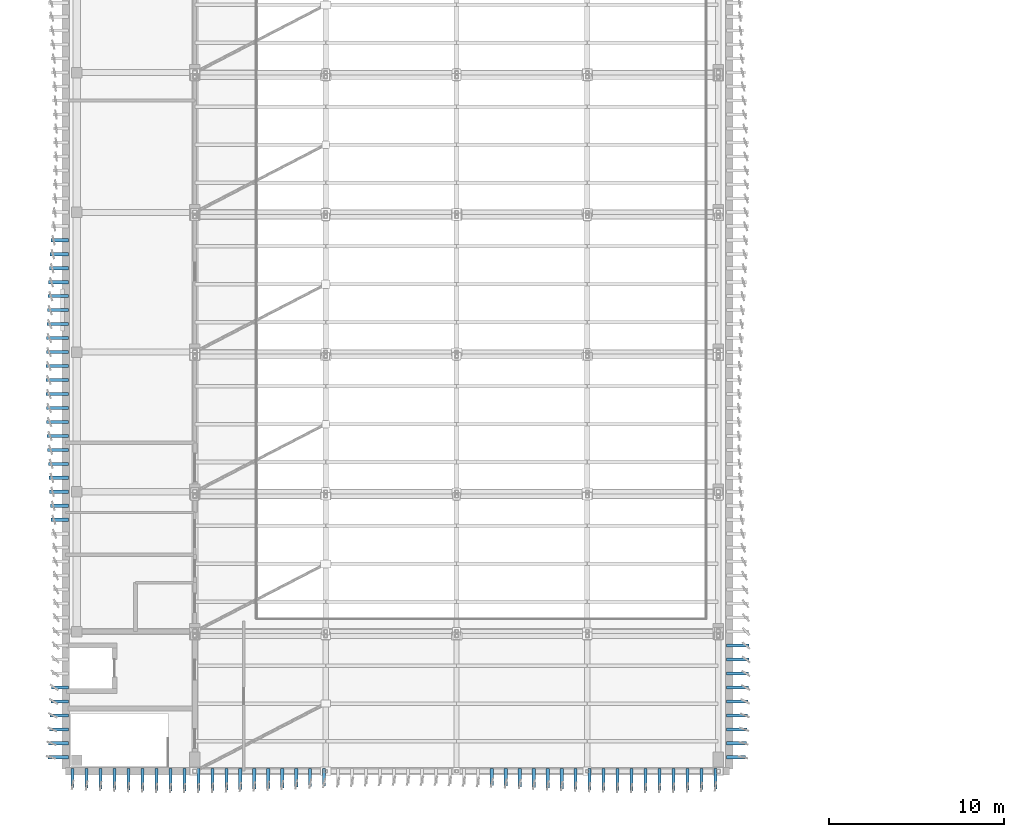
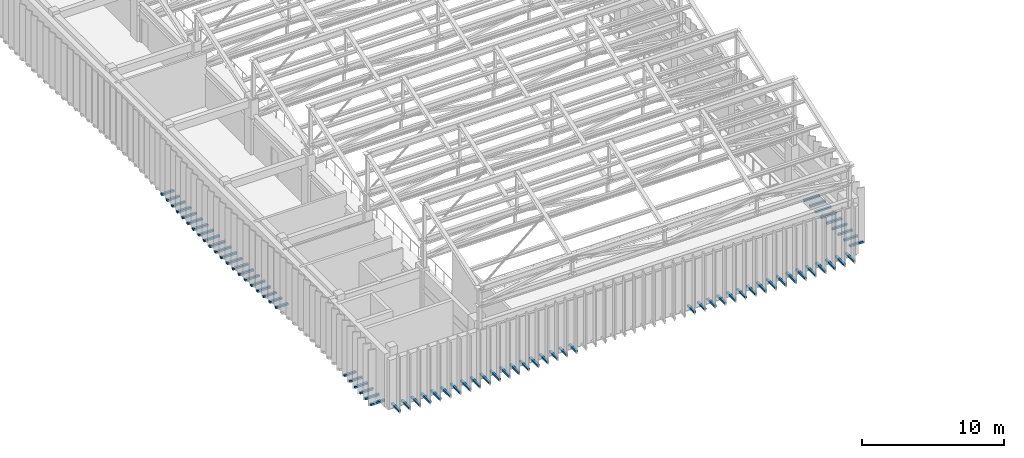
# One storey, part 60 of 76: 72 discrete accessories.
"""IFC4 building model written with IfcOpenShell, lengths in metres."""

import ifcopenshell
import ifcopenshell.guid

model = None  # the IFC model being written
_history = None  # IfcOwnerHistory: only IFC2X3 demands one
_inside = {}  # id of a spatial element -> (the spatial element, [elements in it])
_under = {}  # id of a project, library or spatial element -> (it, [spatial elements below it])
_declared = {}  # id of a project -> (the project, [libraries it declares])
_typed = {}  # id of a type object -> (the type object, [elements of that type])
_made_of = {}  # id of a material, layer set ... -> (it, [elements and type objects made of it])


def new_model(schema):
    """Start an empty IFC model of exactly this schema.

    Asked for "IFC4X3", IfcOpenShell would pick the latest addendum, in which some entities
    have other attributes; the version numbers below select the first issue.
    IFC2X3 requires an IfcOwnerHistory on every rooted entity: one is made here for all.
    """
    global model, _history
    if schema == "IFC4X3":
        model = ifcopenshell.file(schema_version=(4, 3, 0, 0))
    else:
        model = ifcopenshell.file(schema=schema)
    _inside.clear()
    _under.clear()
    _declared.clear()
    _typed.clear()
    _made_of.clear()
    _history = None
    if model.schema == "IFC2X3":
        org = make("IfcOrganization", Name="unknown")
        user = make(
            "IfcPersonAndOrganization",
            ThePerson=make("IfcPerson", FamilyName="unknown"),
            TheOrganization=org,
        )
        app = make(
            "IfcApplication",
            ApplicationDeveloper=org,
            Version="unknown",
            ApplicationFullName="unknown",
            ApplicationIdentifier="unknown",
        )
        _history = make(
            "IfcOwnerHistory",
            OwningUser=user,
            OwningApplication=app,
            ChangeAction="ADDED",
            CreationDate=0,
        )
    return model


def make(cls, **values):
    """One entity of the class cls with the attributes given. An attribute that is None is left unset."""
    return model.create_entity(
        cls, **{name: value for name, value in values.items() if value is not None}
    )


def rooted(cls, **values):
    """An entity with a GlobalId (a new one), such as an element, a storey or a relation."""
    return make(cls, GlobalId=ifcopenshell.guid.new(), OwnerHistory=_history, **values)


def si_unit(unit_type, name, prefix=None):
    """IfcSIUnit, for example si_unit("LENGTHUNIT", "METRE", prefix="MILLI")."""
    return make("IfcSIUnit", UnitType=unit_type, Prefix=prefix, Name=name)


def assignment(units):
    """IfcUnitAssignment: the units of a project."""
    return None if units is None else make("IfcUnitAssignment", Units=units)


def point(xyz):
    """IfcCartesianPoint."""
    return None if xyz is None else make("IfcCartesianPoint", Coordinates=xyz)


def direction(xyz):
    """IfcDirection."""
    return None if xyz is None else make("IfcDirection", DirectionRatios=xyz)


def frame(location, z_axis=None, x_axis=None):
    """IfcAxis2Placement3D, a coordinate frame: its origin and axes. An axis left out is left unset."""
    return make(
        "IfcAxis2Placement3D",
        Location=point(location),
        Axis=direction(z_axis),
        RefDirection=direction(x_axis),
    )


def frame_2d(location, x_axis=None):
    """IfcAxis2Placement2D, a coordinate frame in the plane: its origin and x axis."""
    return make(
        "IfcAxis2Placement2D", Location=point(location), RefDirection=direction(x_axis)
    )


def origin():
    """The frame at (0, 0, 0) with its axes left unset."""
    return frame((0.0, 0.0, 0.0))


def origin_2d():
    """The frame at (0, 0) in the plane with its x axis left unset."""
    return frame_2d((0.0, 0.0))


def place(relative_to, where):
    """IfcLocalPlacement: puts the frame where relative to a parent placement (None: the world)."""
    return make(
        "IfcLocalPlacement", PlacementRelTo=relative_to, RelativePlacement=where
    )


def context(
    kind, dimensions, precision=None, world=None, true_north=None, identifier=None
):
    """IfcGeometricRepresentationContext, for example the 3D "Model" context."""
    return make(
        "IfcGeometricRepresentationContext",
        ContextIdentifier=identifier,
        ContextType=kind,
        CoordinateSpaceDimension=dimensions,
        Precision=precision,
        WorldCoordinateSystem=world,
        TrueNorth=true_north,
    )


def subcontext(parent, identifier, kind, view, scale=None):
    """IfcGeometricRepresentationSubContext, for example "Body" below "Model"."""
    return make(
        "IfcGeometricRepresentationSubContext",
        ContextIdentifier=identifier,
        ContextType=kind,
        ParentContext=parent,
        TargetScale=scale,
        TargetView=view,
    )


def project(units=None, contexts=None):
    """IfcProject with its units and contexts."""
    return rooted(
        "IfcProject",
        Name="project",
        RepresentationContexts=contexts,
        UnitsInContext=assignment(units),
    )


def spatial(cls, under=None, at=None, **own):
    """A site, building, storey or space (cls), placed at a placement, below another one or the project."""
    s = rooted(cls, ObjectPlacement=at, **own)
    if under is not None:
        _under.setdefault(under.id(), (under, []))[1].append(s)
    return s


def profile(cls, at=None, kind="AREA", **sizes):
    """A parametric profile (cls). Its sizes go by their IFC names, for example OverallWidth=200.0."""
    return make(cls, ProfileType=kind, Position=at, **sizes)


def rectangle(**sizes):
    """IfcRectangleProfileDef."""
    return profile("IfcRectangleProfileDef", **sizes)


def extrude(swept, where, along, depth):
    """IfcExtrudedAreaSolid: the profile swept, set in the frame where, extruded along a direction by depth."""
    return make(
        "IfcExtrudedAreaSolid",
        SweptArea=swept,
        Position=where,
        ExtrudedDirection=direction(along),
        Depth=depth,
    )


def shape(context_of_items, identifier, shape_type, items):
    """IfcShapeRepresentation: the items that make up one representation, for example the "Body"."""
    return make(
        "IfcShapeRepresentation",
        ContextOfItems=context_of_items,
        RepresentationIdentifier=identifier,
        RepresentationType=shape_type,
        Items=items,
    )


def material(Name=None, Category=None):
    """IfcMaterial."""
    return make("IfcMaterial", Name=Name, Category=Category)


def made_of(thing, what):
    """Note that an element or type object is made of a material, layer set ...; save() writes the relation."""
    if what is not None:
        _made_of.setdefault(what.id(), (what, []))[1].append(thing)
    return thing


def type_object(cls, material=None, **own):
    """A type object (cls), such as IfcWallType, which elements share."""
    return made_of(rooted(cls, **own), material)


def element(
    cls,
    number,
    at=None,
    inside=None,
    cuts=None,
    type_object=None,
    material=None,
    context=None,
    identifier="Body",
    shape_type=None,
    held_by="IfcProductDefinitionShape",
    body=None,
    shapes=None,
    **own,
):
    """One element of the class cls, such as IfcWall. Its Tag is "e" and its number.

    at: its placement. inside: the storey or other place that contains it. cuts: it is an
    opening in that element (IfcRelVoidsElement). A single representation is given by context,
    identifier, shape_type and body (its items); several are given by shapes. held_by: the class
    of the entity that holds the representations. save() writes the other relations.
    """
    e = rooted(cls, Tag="e%d" % number, ObjectPlacement=at, **own)
    if body is not None:
        shapes = [shape(context, identifier, shape_type, body)]
    if shapes is not None:
        e.Representation = make(held_by, Representations=shapes)
    if inside is not None:
        _inside.setdefault(inside.id(), (inside, []))[1].append(e)
    if cuts is not None:
        rooted(
            "IfcRelVoidsElement", RelatingBuildingElement=cuts, RelatedOpeningElement=e
        )
    if type_object is not None:
        _typed.setdefault(type_object.id(), (type_object, []))[1].append(e)
    return made_of(e, material)


def aggregate(whole, parts):
    """IfcRelAggregates: a whole, such as a stair, and the parts it consists of."""
    return rooted("IfcRelAggregates", RelatingObject=whole, RelatedObjects=parts)


def save(model, path):
    """Write the relations noted so far, then the file.

    IfcRelAggregates (storeys below a building ...), IfcRelContainedInSpatialStructure (elements
    in a storey), IfcRelDefinesByType, IfcRelAssociatesMaterial and IfcRelDeclares: one each for
    every whole, place, type object, material and project.
    """
    for whole, parts in _under.values():
        aggregate(whole, parts)
    for where, things in _inside.values():
        rooted(
            "IfcRelContainedInSpatialStructure",
            RelatedElements=things,
            RelatingStructure=where,
        )
    for kind, things in _typed.values():
        rooted("IfcRelDefinesByType", RelatedObjects=things, RelatingType=kind)
    for what, things in _made_of.values():
        rooted("IfcRelAssociatesMaterial", RelatedObjects=things, RelatingMaterial=what)
    for by, libraries in _declared.values():
        rooted("IfcRelDeclares", RelatingContext=by, RelatedDefinitions=libraries)
    model.write(path)


model = new_model("IFC4")

# Units and contexts
model_context = context("Model", 3, precision=1e-05, world=origin(), true_north=direction((0.0, 1.0)))
body_context = subcontext(model_context, "Body", "Model", "MODEL_VIEW")
ifc_project = project(units=[si_unit("LENGTHUNIT", "METRE"), si_unit("AREAUNIT", "SQUARE_METRE"), si_unit("VOLUMEUNIT", "CUBIC_METRE"), si_unit("PLANEANGLEUNIT", "RADIAN"), si_unit("MASSUNIT", "GRAM", prefix="KILO")], contexts=[model_context])

# Site, building, storey
site_placement = place(None, origin())
site = spatial("IfcSite", under=ifc_project, at=site_placement, CompositionType="ELEMENT")
building_placement = place(site_placement, origin())
building = spatial("IfcBuilding", under=site, at=building_placement, Name="Cinchona Park Media Centre", CompositionType="ELEMENT")
storey_placement = place(building_placement, frame((0.0, 0.0, 15.60009765625)))
storey = spatial("IfcBuildingStorey", under=building, at=storey_placement, Name="L03", CompositionType="ELEMENT", Elevation=15.60009765625)

# Discrete accessories
ifc_material = material(Name="Steel S355", Category="steel")
discrete_accessory_type = type_object("IfcDiscreteAccessoryType", Name="BRACKET-BRK01", PredefinedType="BRACKET", material=ifc_material)
discrete_accessory_1_placement = place(storey_placement, frame((7.655029296875, 38.0, 0.0400390625), z_axis=(0.0, 0.0, 1.0), x_axis=(0.0, -1.0, 0.0)))
element("IfcDiscreteAccessory", 1, at=discrete_accessory_1_placement, inside=storey, type_object=discrete_accessory_type, Name="Facade Fin Outrigger Bracket L03", PredefinedType="BRACKET", context=body_context, shape_type="SweptSolid", body=[
    extrude(rectangle(XDim=0.179931640625, YDim=1.010986328125, at=origin_2d()), origin(), (0.0, 0.0, 1.0), 0.159912109375),
])
discrete_accessory_2_placement = place(storey_placement, frame((7.635009765625, 37.199951171875, 0.0400390625), z_axis=(0.0, 0.0, 1.0), x_axis=(0.0, -1.0, 0.0)))
element("IfcDiscreteAccessory", 2, at=discrete_accessory_2_placement, inside=storey, type_object=discrete_accessory_type, Name="Facade Fin Outrigger Bracket L03", PredefinedType="BRACKET", context=body_context, shape_type="SweptSolid", body=[
    extrude(rectangle(XDim=0.179931640625, YDim=1.050048828125, at=origin_2d()), origin(), (0.0, 0.0, 1.0), 0.159912109375),
])
discrete_accessory_3_placement = place(storey_placement, frame((7.614990234375, 36.39990234375, 0.0400390625), z_axis=(0.0, 0.0, 1.0), x_axis=(0.0, -1.0, 0.0)))
element("IfcDiscreteAccessory", 3, at=discrete_accessory_3_placement, inside=storey, type_object=discrete_accessory_type, Name="Facade Fin Outrigger Bracket L03", PredefinedType="BRACKET", context=body_context, shape_type="SweptSolid", body=[
    extrude(rectangle(XDim=0.179931640625, YDim=1.090087890625, at=origin_2d()), origin(), (0.0, 0.0, 1.0), 0.159912109375),
])
discrete_accessory_4_placement = place(storey_placement, frame((7.594970703125, 35.60009765625, 0.0400390625), z_axis=(0.0, 0.0, 1.0), x_axis=(0.0, -1.0, 0.0)))
element("IfcDiscreteAccessory", 4, at=discrete_accessory_4_placement, inside=storey, type_object=discrete_accessory_type, Name="Facade Fin Outrigger Bracket L03", PredefinedType="BRACKET", context=body_context, shape_type="SweptSolid", body=[
    extrude(rectangle(XDim=0.179931640625, YDim=1.12890625, at=origin_2d()), origin(), (0.0, 0.0, 1.0), 0.159912109375),
])
discrete_accessory_5_placement = place(storey_placement, frame((7.576904296875, 34.800048828125, 0.0400390625), z_axis=(0.0, 0.0, 1.0), x_axis=(0.0, -1.0, 0.0)))
element("IfcDiscreteAccessory", 5, at=discrete_accessory_5_placement, inside=storey, type_object=discrete_accessory_type, Name="Facade Fin Outrigger Bracket L03", PredefinedType="BRACKET", context=body_context, shape_type="SweptSolid", body=[
    extrude(rectangle(XDim=0.179931640625, YDim=1.166015625, at=origin_2d()), origin(), (0.0, 0.0, 1.0), 0.159912109375),
])
discrete_accessory_6_placement = place(storey_placement, frame((7.56005859375, 34.0, 0.0400390625), z_axis=(0.0, 0.0, 1.0), x_axis=(0.0, -1.0, 0.0)))
element("IfcDiscreteAccessory", 6, at=discrete_accessory_6_placement, inside=storey, type_object=discrete_accessory_type, Name="Facade Fin Outrigger Bracket L03", PredefinedType="BRACKET", context=body_context, shape_type="SweptSolid", body=[
    extrude(rectangle(XDim=0.179931640625, YDim=1.199951171875, at=origin_2d()), origin(), (0.0, 0.0, 1.0), 0.159912109375),
])
discrete_accessory_7_placement = place(storey_placement, frame((7.5458984375, 33.199951171875, 0.0400390625), z_axis=(0.0, 0.0, 1.0), x_axis=(0.0, -1.0, 0.0)))
element("IfcDiscreteAccessory", 7, at=discrete_accessory_7_placement, inside=storey, type_object=discrete_accessory_type, Name="Facade Fin Outrigger Bracket L03", PredefinedType="BRACKET", context=body_context, shape_type="SweptSolid", body=[
    extrude(rectangle(XDim=0.179931640625, YDim=1.22900390625, at=origin_2d()), origin(), (0.0, 0.0, 1.0), 0.159912109375),
])
discrete_accessory_8_placement = place(storey_placement, frame((7.533935546875, 32.39990234375, 0.0400390625), z_axis=(0.0, 0.0, 1.0), x_axis=(0.0, -1.0, 0.0)))
element("IfcDiscreteAccessory", 8, at=discrete_accessory_8_placement, inside=storey, type_object=discrete_accessory_type, Name="Facade Fin Outrigger Bracket L03", PredefinedType="BRACKET", context=body_context, shape_type="SweptSolid", body=[
    extrude(rectangle(XDim=0.179931640625, YDim=1.251953125, at=origin_2d()), origin(), (0.0, 0.0, 1.0), 0.159912109375),
])
discrete_accessory_9_placement = place(storey_placement, frame((7.52587890625, 31.60009765625, 0.0400390625), z_axis=(0.0, 0.0, 1.0), x_axis=(0.0, -1.0, 0.0)))
element("IfcDiscreteAccessory", 9, at=discrete_accessory_9_placement, inside=storey, type_object=discrete_accessory_type, Name="Facade Fin Outrigger Bracket L03", PredefinedType="BRACKET", context=body_context, shape_type="SweptSolid", body=[
    extrude(rectangle(XDim=0.179931640625, YDim=1.26806640625, at=origin_2d()), origin(), (0.0, 0.0, 1.0), 0.159912109375),
])
discrete_accessory_10_placement = place(storey_placement, frame((7.52099609375, 30.800048828125, 0.0400390625), z_axis=(0.0, 0.0, 1.0), x_axis=(0.0, -1.0, 0.0)))
element("IfcDiscreteAccessory", 10, at=discrete_accessory_10_placement, inside=storey, type_object=discrete_accessory_type, Name="Facade Fin Outrigger Bracket L03", PredefinedType="BRACKET", context=body_context, shape_type="SweptSolid", body=[
    extrude(rectangle(XDim=0.179931640625, YDim=1.278076171875, at=origin_2d()), origin(), (0.0, 0.0, 1.0), 0.159912109375),
])
discrete_accessory_11_placement = place(storey_placement, frame((7.52001953125, 30.0, 0.0400390625), z_axis=(0.0, 0.0, 1.0), x_axis=(0.0, -1.0, 0.0)))
element("IfcDiscreteAccessory", 11, at=discrete_accessory_11_placement, inside=storey, type_object=discrete_accessory_type, Name="Facade Fin Outrigger Bracket L03", PredefinedType="BRACKET", context=body_context, shape_type="SweptSolid", body=[
    extrude(rectangle(XDim=0.179931640625, YDim=1.280029296875, at=origin_2d()), origin(), (0.0, 0.0, 1.0), 0.159912109375),
])
discrete_accessory_12_placement = place(storey_placement, frame((7.52294921875, 29.199951171875, 0.0400390625), z_axis=(0.0, 0.0, 1.0), x_axis=(0.0, -1.0, 0.0)))
element("IfcDiscreteAccessory", 12, at=discrete_accessory_12_placement, inside=storey, type_object=discrete_accessory_type, Name="Facade Fin Outrigger Bracket L03", PredefinedType="BRACKET", context=body_context, shape_type="SweptSolid", body=[
    extrude(rectangle(XDim=0.179931640625, YDim=1.27392578125, at=origin_2d()), origin(), (0.0, 0.0, 1.0), 0.159912109375),
])
discrete_accessory_13_placement = place(storey_placement, frame((7.529052734375, 28.39990234375, 0.0400390625), z_axis=(0.0, 0.0, 1.0), x_axis=(0.0, -1.0, 0.0)))
element("IfcDiscreteAccessory", 13, at=discrete_accessory_13_placement, inside=storey, type_object=discrete_accessory_type, Name="Facade Fin Outrigger Bracket L03", PredefinedType="BRACKET", context=body_context, shape_type="SweptSolid", body=[
    extrude(rectangle(XDim=0.179931640625, YDim=1.260986328125, at=origin_2d()), origin(), (0.0, 0.0, 1.0), 0.159912109375),
])
discrete_accessory_14_placement = place(storey_placement, frame((7.5390625, 27.60009765625, 0.0400390625), z_axis=(0.0, 0.0, 1.0), x_axis=(0.0, -1.0, 0.0)))
element("IfcDiscreteAccessory", 14, at=discrete_accessory_14_placement, inside=storey, type_object=discrete_accessory_type, Name="Facade Fin Outrigger Bracket L03", PredefinedType="BRACKET", context=body_context, shape_type="SweptSolid", body=[
    extrude(rectangle(XDim=0.179931640625, YDim=1.240966796875, at=origin_2d()), origin(), (0.0, 0.0, 1.0), 0.159912109375),
])
discrete_accessory_15_placement = place(storey_placement, frame((7.552978515625, 26.800048828125, 0.0400390625), z_axis=(0.0, 0.0, 1.0), x_axis=(0.0, -1.0, 0.0)))
element("IfcDiscreteAccessory", 15, at=discrete_accessory_15_placement, inside=storey, type_object=discrete_accessory_type, Name="Facade Fin Outrigger Bracket L03", PredefinedType="BRACKET", context=body_context, shape_type="SweptSolid", body=[
    extrude(rectangle(XDim=0.179931640625, YDim=1.215087890625, at=origin_2d()), origin(), (0.0, 0.0, 1.0), 0.159912109375),
])
discrete_accessory_16_placement = place(storey_placement, frame((7.568115234375, 26.0, 0.0400390625), z_axis=(0.0, 0.0, 1.0), x_axis=(0.0, -1.0, 0.0)))
element("IfcDiscreteAccessory", 16, at=discrete_accessory_16_placement, inside=storey, type_object=discrete_accessory_type, Name="Facade Fin Outrigger Bracket L03", PredefinedType="BRACKET", context=body_context, shape_type="SweptSolid", body=[
    extrude(rectangle(XDim=0.179931640625, YDim=1.18408203125, at=origin_2d()), origin(), (0.0, 0.0, 1.0), 0.159912109375),
])
discrete_accessory_17_placement = place(storey_placement, frame((7.5859375, 25.199951171875, 0.0400390625), z_axis=(0.0, 0.0, 1.0), x_axis=(0.0, -1.0, 0.0)))
element("IfcDiscreteAccessory", 17, at=discrete_accessory_17_placement, inside=storey, type_object=discrete_accessory_type, Name="Facade Fin Outrigger Bracket L03", PredefinedType="BRACKET", context=body_context, shape_type="SweptSolid", body=[
    extrude(rectangle(XDim=0.179931640625, YDim=1.14794921875, at=origin_2d()), origin(), (0.0, 0.0, 1.0), 0.159912109375),
])
discrete_accessory_18_placement = place(storey_placement, frame((7.60498046875, 24.39990234375, 0.0400390625), z_axis=(0.0, 0.0, 1.0), x_axis=(0.0, -1.0, 0.0)))
element("IfcDiscreteAccessory", 18, at=discrete_accessory_18_placement, inside=storey, type_object=discrete_accessory_type, Name="Facade Fin Outrigger Bracket L03", PredefinedType="BRACKET", context=body_context, shape_type="SweptSolid", body=[
    extrude(rectangle(XDim=0.179931640625, YDim=1.110107421875, at=origin_2d()), origin(), (0.0, 0.0, 1.0), 0.159912109375),
])
discrete_accessory_19_placement = place(storey_placement, frame((7.625, 23.60009765625, 0.0400390625), z_axis=(0.0, 0.0, 1.0), x_axis=(0.0, -1.0, 0.0)))
element("IfcDiscreteAccessory", 19, at=discrete_accessory_19_placement, inside=storey, type_object=discrete_accessory_type, Name="Facade Fin Outrigger Bracket L03", PredefinedType="BRACKET", context=body_context, shape_type="SweptSolid", body=[
    extrude(rectangle(XDim=0.179931640625, YDim=1.070068359375, at=origin_2d()), origin(), (0.0, 0.0, 1.0), 0.159912109375),
])
discrete_accessory_20_placement = place(storey_placement, frame((7.64501953125, 22.800048828125, 0.0400390625), z_axis=(0.0, 0.0, 1.0), x_axis=(0.0, -1.0, 0.0)))
element("IfcDiscreteAccessory", 20, at=discrete_accessory_20_placement, inside=storey, type_object=discrete_accessory_type, Name="Facade Fin Outrigger Bracket L03", PredefinedType="BRACKET", context=body_context, shape_type="SweptSolid", body=[
    extrude(rectangle(XDim=0.179931640625, YDim=1.030029296875, at=origin_2d()), origin(), (0.0, 0.0, 1.0), 0.159912109375),
])
discrete_accessory_21_placement = place(storey_placement, frame((7.6640625, 22.0, 0.0400390625), z_axis=(0.0, 0.0, 1.0), x_axis=(0.0, -1.0, 0.0)))
element("IfcDiscreteAccessory", 21, at=discrete_accessory_21_placement, inside=storey, type_object=discrete_accessory_type, Name="Facade Fin Outrigger Bracket L03", PredefinedType="BRACKET", context=body_context, shape_type="SweptSolid", body=[
    extrude(rectangle(XDim=0.179931640625, YDim=0.991943359375, at=origin_2d()), origin(), (0.0, 0.0, 1.0), 0.159912109375),
])
discrete_accessory_22_placement = place(storey_placement, frame((7.673095703125, 12.39990234375, 0.0400390625), z_axis=(0.0, 0.0, 1.0), x_axis=(0.0, -1.0, 0.0)))
element("IfcDiscreteAccessory", 22, at=discrete_accessory_22_placement, inside=storey, type_object=discrete_accessory_type, Name="Facade Fin Outrigger Bracket L03", PredefinedType="BRACKET", context=body_context, shape_type="SweptSolid", body=[
    extrude(rectangle(XDim=0.179931640625, YDim=0.97412109375, at=origin_2d()), origin(), (0.0, 0.0, 1.0), 0.159912109375),
])
discrete_accessory_23_placement = place(storey_placement, frame((7.655029296875, 11.60009765625, 0.0400390625), z_axis=(0.0, 0.0, 1.0), x_axis=(0.0, -1.0, 0.0)))
element("IfcDiscreteAccessory", 23, at=discrete_accessory_23_placement, inside=storey, type_object=discrete_accessory_type, Name="Facade Fin Outrigger Bracket L03", PredefinedType="BRACKET", context=body_context, shape_type="SweptSolid", body=[
    extrude(rectangle(XDim=0.179931640625, YDim=1.010986328125, at=origin_2d()), origin(), (0.0, 0.0, 1.0), 0.159912109375),
])
discrete_accessory_24_placement = place(storey_placement, frame((7.635009765625, 10.800048828125, 0.0400390625), z_axis=(0.0, 0.0, 1.0), x_axis=(0.0, -1.0, 0.0)))
element("IfcDiscreteAccessory", 24, at=discrete_accessory_24_placement, inside=storey, type_object=discrete_accessory_type, Name="Facade Fin Outrigger Bracket L03", PredefinedType="BRACKET", context=body_context, shape_type="SweptSolid", body=[
    extrude(rectangle(XDim=0.179931640625, YDim=1.050048828125, at=origin_2d()), origin(), (0.0, 0.0, 1.0), 0.159912109375),
])
discrete_accessory_25_placement = place(storey_placement, frame((7.614990234375, 10.0, 0.0400390625), z_axis=(0.0, 0.0, 1.0), x_axis=(0.0, -1.0, 0.0)))
element("IfcDiscreteAccessory", 25, at=discrete_accessory_25_placement, inside=storey, type_object=discrete_accessory_type, Name="Facade Fin Outrigger Bracket L03", PredefinedType="BRACKET", context=body_context, shape_type="SweptSolid", body=[
    extrude(rectangle(XDim=0.179931640625, YDim=1.090087890625, at=origin_2d()), origin(), (0.0, 0.0, 1.0), 0.159912109375),
])
discrete_accessory_26_placement = place(storey_placement, frame((7.594970703125, 9.199951171875, 0.0400390625), z_axis=(0.0, 0.0, 1.0), x_axis=(0.0, -1.0, 0.0)))
element("IfcDiscreteAccessory", 26, at=discrete_accessory_26_placement, inside=storey, type_object=discrete_accessory_type, Name="Facade Fin Outrigger Bracket L03", PredefinedType="BRACKET", context=body_context, shape_type="SweptSolid", body=[
    extrude(rectangle(XDim=0.179931640625, YDim=1.12890625, at=origin_2d()), origin(), (0.0, 0.0, 1.0), 0.159912109375),
])
discrete_accessory_27_placement = place(storey_placement, frame((7.576904296875, 8.39990234375, 0.0400390625), z_axis=(0.0, 0.0, 1.0), x_axis=(0.0, -1.0, 0.0)))
element("IfcDiscreteAccessory", 27, at=discrete_accessory_27_placement, inside=storey, type_object=discrete_accessory_type, Name="Facade Fin Outrigger Bracket L03", PredefinedType="BRACKET", context=body_context, shape_type="SweptSolid", body=[
    extrude(rectangle(XDim=0.179931640625, YDim=1.166015625, at=origin_2d()), origin(), (0.0, 0.0, 1.0), 0.159912109375),
])
discrete_accessory_28_placement = place(storey_placement, frame((8.39990234375, 7.215087890625, 0.0400390625), z_axis=(0.0, 0.0, 1.0), x_axis=(1.0, 0.0, 0.0)))
element("IfcDiscreteAccessory", 28, at=discrete_accessory_28_placement, inside=storey, type_object=discrete_accessory_type, Name="Facade Fin Outrigger Bracket L03", PredefinedType="BRACKET", context=body_context, shape_type="SweptSolid", body=[
    extrude(rectangle(XDim=0.179931640625, YDim=1.090087890625, at=origin_2d()), origin(), (0.0, 0.0, 1.0), 0.159912109375),
])
discrete_accessory_29_placement = place(storey_placement, frame((9.199951171875, 7.195068359375, 0.0400390625), z_axis=(0.0, 0.0, 1.0), x_axis=(1.0, 0.0, 0.0)))
element("IfcDiscreteAccessory", 29, at=discrete_accessory_29_placement, inside=storey, type_object=discrete_accessory_type, Name="Facade Fin Outrigger Bracket L03", PredefinedType="BRACKET", context=body_context, shape_type="SweptSolid", body=[
    extrude(rectangle(XDim=0.179931640625, YDim=1.12890625, at=origin_2d()), origin(), (0.0, 0.0, 1.0), 0.159912109375),
])
discrete_accessory_30_placement = place(storey_placement, frame((10.0, 7.177001953125, 0.0400390625), z_axis=(0.0, 0.0, 1.0), x_axis=(1.0, 0.0, 0.0)))
element("IfcDiscreteAccessory", 30, at=discrete_accessory_30_placement, inside=storey, type_object=discrete_accessory_type, Name="Facade Fin Outrigger Bracket L03", PredefinedType="BRACKET", context=body_context, shape_type="SweptSolid", body=[
    extrude(rectangle(XDim=0.179931640625, YDim=1.166015625, at=origin_2d()), origin(), (0.0, 0.0, 1.0), 0.159912109375),
])
discrete_accessory_31_placement = place(storey_placement, frame((10.800048828125, 7.159912109375, 0.0400390625), z_axis=(0.0, 0.0, 1.0), x_axis=(1.0, 0.0, 0.0)))
element("IfcDiscreteAccessory", 31, at=discrete_accessory_31_placement, inside=storey, type_object=discrete_accessory_type, Name="Facade Fin Outrigger Bracket L03", PredefinedType="BRACKET", context=body_context, shape_type="SweptSolid", body=[
    extrude(rectangle(XDim=0.179931640625, YDim=1.199951171875, at=origin_2d()), origin(), (0.0, 0.0, 1.0), 0.159912109375),
])
discrete_accessory_32_placement = place(storey_placement, frame((11.60009765625, 7.14599609375, 0.0400390625), z_axis=(0.0, 0.0, 1.0), x_axis=(1.0, 0.0, 0.0)))
element("IfcDiscreteAccessory", 32, at=discrete_accessory_32_placement, inside=storey, type_object=discrete_accessory_type, Name="Facade Fin Outrigger Bracket L03", PredefinedType="BRACKET", context=body_context, shape_type="SweptSolid", body=[
    extrude(rectangle(XDim=0.179931640625, YDim=1.22900390625, at=origin_2d()), origin(), (0.0, 0.0, 1.0), 0.159912109375),
])
discrete_accessory_33_placement = place(storey_placement, frame((12.39990234375, 7.134033203125, 0.0400390625), z_axis=(0.0, 0.0, 1.0), x_axis=(1.0, 0.0, 0.0)))
element("IfcDiscreteAccessory", 33, at=discrete_accessory_33_placement, inside=storey, type_object=discrete_accessory_type, Name="Facade Fin Outrigger Bracket L03", PredefinedType="BRACKET", context=body_context, shape_type="SweptSolid", body=[
    extrude(rectangle(XDim=0.179931640625, YDim=1.251953125, at=origin_2d()), origin(), (0.0, 0.0, 1.0), 0.159912109375),
])
discrete_accessory_34_placement = place(storey_placement, frame((13.199951171875, 7.1259765625, 0.0400390625), z_axis=(0.0, 0.0, 1.0), x_axis=(1.0, 0.0, 0.0)))
element("IfcDiscreteAccessory", 34, at=discrete_accessory_34_placement, inside=storey, type_object=discrete_accessory_type, Name="Facade Fin Outrigger Bracket L03", PredefinedType="BRACKET", context=body_context, shape_type="SweptSolid", body=[
    extrude(rectangle(XDim=0.179931640625, YDim=1.26806640625, at=origin_2d()), origin(), (0.0, 0.0, 1.0), 0.159912109375),
])
discrete_accessory_35_placement = place(storey_placement, frame((14.0, 7.12109375, 0.0400390625), z_axis=(0.0, 0.0, 1.0), x_axis=(1.0, 0.0, 0.0)))
element("IfcDiscreteAccessory", 35, at=discrete_accessory_35_placement, inside=storey, type_object=discrete_accessory_type, Name="Facade Fin Outrigger Bracket L03", PredefinedType="BRACKET", context=body_context, shape_type="SweptSolid", body=[
    extrude(rectangle(XDim=0.179931640625, YDim=1.278076171875, at=origin_2d()), origin(), (0.0, 0.0, 1.0), 0.159912109375),
])
discrete_accessory_36_placement = place(storey_placement, frame((14.800048828125, 7.1201171875, 0.0400390625), z_axis=(0.0, 0.0, 1.0), x_axis=(1.0, 0.0, 0.0)))
element("IfcDiscreteAccessory", 36, at=discrete_accessory_36_placement, inside=storey, type_object=discrete_accessory_type, Name="Facade Fin Outrigger Bracket L03", PredefinedType="BRACKET", context=body_context, shape_type="SweptSolid", body=[
    extrude(rectangle(XDim=0.179931640625, YDim=1.280029296875, at=origin_2d()), origin(), (0.0, 0.0, 1.0), 0.159912109375),
])
discrete_accessory_37_placement = place(storey_placement, frame((15.60009765625, 7.123046875, 0.0400390625), z_axis=(0.0, 0.0, 1.0), x_axis=(1.0, 0.0, 0.0)))
element("IfcDiscreteAccessory", 37, at=discrete_accessory_37_placement, inside=storey, type_object=discrete_accessory_type, Name="Facade Fin Outrigger Bracket L03", PredefinedType="BRACKET", context=body_context, shape_type="SweptSolid", body=[
    extrude(rectangle(XDim=0.179931640625, YDim=1.27392578125, at=origin_2d()), origin(), (0.0, 0.0, 1.0), 0.159912109375),
])
discrete_accessory_38_placement = place(storey_placement, frame((16.39990234375, 7.12890625, 0.0400390625), z_axis=(0.0, 0.0, 1.0), x_axis=(1.0, 0.0, 0.0)))
element("IfcDiscreteAccessory", 38, at=discrete_accessory_38_placement, inside=storey, type_object=discrete_accessory_type, Name="Facade Fin Outrigger Bracket L03", PredefinedType="BRACKET", context=body_context, shape_type="SweptSolid", body=[
    extrude(rectangle(XDim=0.179931640625, YDim=1.260986328125, at=origin_2d()), origin(), (0.0, 0.0, 1.0), 0.159912109375),
])
discrete_accessory_39_placement = place(storey_placement, frame((17.199951171875, 7.138916015625, 0.0400390625), z_axis=(0.0, 0.0, 1.0), x_axis=(1.0, 0.0, 0.0)))
element("IfcDiscreteAccessory", 39, at=discrete_accessory_39_placement, inside=storey, type_object=discrete_accessory_type, Name="Facade Fin Outrigger Bracket L03", PredefinedType="BRACKET", context=body_context, shape_type="SweptSolid", body=[
    extrude(rectangle(XDim=0.179931640625, YDim=1.240966796875, at=origin_2d()), origin(), (0.0, 0.0, 1.0), 0.159912109375),
])
discrete_accessory_40_placement = place(storey_placement, frame((18.0, 7.153076171875, 0.0400390625), z_axis=(0.0, 0.0, 1.0), x_axis=(1.0, 0.0, 0.0)))
element("IfcDiscreteAccessory", 40, at=discrete_accessory_40_placement, inside=storey, type_object=discrete_accessory_type, Name="Facade Fin Outrigger Bracket L03", PredefinedType="BRACKET", context=body_context, shape_type="SweptSolid", body=[
    extrude(rectangle(XDim=0.179931640625, YDim=1.215087890625, at=origin_2d()), origin(), (0.0, 0.0, 1.0), 0.159912109375),
])
discrete_accessory_41_placement = place(storey_placement, frame((18.800048828125, 7.16796875, 0.0400390625), z_axis=(0.0, 0.0, 1.0), x_axis=(1.0, 0.0, 0.0)))
element("IfcDiscreteAccessory", 41, at=discrete_accessory_41_placement, inside=storey, type_object=discrete_accessory_type, Name="Facade Fin Outrigger Bracket L03", PredefinedType="BRACKET", context=body_context, shape_type="SweptSolid", body=[
    extrude(rectangle(XDim=0.179931640625, YDim=1.18408203125, at=origin_2d()), origin(), (0.0, 0.0, 1.0), 0.159912109375),
])
discrete_accessory_42_placement = place(storey_placement, frame((19.60009765625, 7.18603515625, 0.0400390625), z_axis=(0.0, 0.0, 1.0), x_axis=(1.0, 0.0, 0.0)))
element("IfcDiscreteAccessory", 42, at=discrete_accessory_42_placement, inside=storey, type_object=discrete_accessory_type, Name="Facade Fin Outrigger Bracket L03", PredefinedType="BRACKET", context=body_context, shape_type="SweptSolid", body=[
    extrude(rectangle(XDim=0.179931640625, YDim=1.14794921875, at=origin_2d()), origin(), (0.0, 0.0, 1.0), 0.159912109375),
])
discrete_accessory_43_placement = place(storey_placement, frame((20.39990234375, 7.205078125, 0.0400390625), z_axis=(0.0, 0.0, 1.0), x_axis=(1.0, 0.0, 0.0)))
element("IfcDiscreteAccessory", 43, at=discrete_accessory_43_placement, inside=storey, type_object=discrete_accessory_type, Name="Facade Fin Outrigger Bracket L03", PredefinedType="BRACKET", context=body_context, shape_type="SweptSolid", body=[
    extrude(rectangle(XDim=0.179931640625, YDim=1.110107421875, at=origin_2d()), origin(), (0.0, 0.0, 1.0), 0.159912109375),
])
discrete_accessory_44_placement = place(storey_placement, frame((21.199951171875, 7.22509765625, 0.0400390625), z_axis=(0.0, 0.0, 1.0), x_axis=(1.0, 0.0, 0.0)))
element("IfcDiscreteAccessory", 44, at=discrete_accessory_44_placement, inside=storey, type_object=discrete_accessory_type, Name="Facade Fin Outrigger Bracket L03", PredefinedType="BRACKET", context=body_context, shape_type="SweptSolid", body=[
    extrude(rectangle(XDim=0.179931640625, YDim=1.070068359375, at=origin_2d()), origin(), (0.0, 0.0, 1.0), 0.159912109375),
])
discrete_accessory_45_placement = place(storey_placement, frame((22.0, 7.2451171875, 0.0400390625), z_axis=(0.0, 0.0, 1.0), x_axis=(1.0, 0.0, 0.0)))
element("IfcDiscreteAccessory", 45, at=discrete_accessory_45_placement, inside=storey, type_object=discrete_accessory_type, Name="Facade Fin Outrigger Bracket L03", PredefinedType="BRACKET", context=body_context, shape_type="SweptSolid", body=[
    extrude(rectangle(XDim=0.179931640625, YDim=1.030029296875, at=origin_2d()), origin(), (0.0, 0.0, 1.0), 0.159912109375),
])
discrete_accessory_46_placement = place(storey_placement, frame((22.800048828125, 7.263916015625, 0.0400390625), z_axis=(0.0, 0.0, 1.0), x_axis=(1.0, 0.0, 0.0)))
element("IfcDiscreteAccessory", 46, at=discrete_accessory_46_placement, inside=storey, type_object=discrete_accessory_type, Name="Facade Fin Outrigger Bracket L03", PredefinedType="BRACKET", context=body_context, shape_type="SweptSolid", body=[
    extrude(rectangle(XDim=0.179931640625, YDim=0.991943359375, at=origin_2d()), origin(), (0.0, 0.0, 1.0), 0.159912109375),
])
discrete_accessory_47_placement = place(storey_placement, frame((32.39990234375, 7.27294921875, 0.0400390625), z_axis=(0.0, 0.0, 1.0), x_axis=(1.0, 0.0, 0.0)))
element("IfcDiscreteAccessory", 47, at=discrete_accessory_47_placement, inside=storey, type_object=discrete_accessory_type, Name="Facade Fin Outrigger Bracket L03", PredefinedType="BRACKET", context=body_context, shape_type="SweptSolid", body=[
    extrude(rectangle(XDim=0.179931640625, YDim=0.97412109375, at=origin_2d()), origin(), (0.0, 0.0, 1.0), 0.159912109375),
])
discrete_accessory_48_placement = place(storey_placement, frame((33.199951171875, 7.2548828125, 0.0400390625), z_axis=(0.0, 0.0, 1.0), x_axis=(1.0, 0.0, 0.0)))
element("IfcDiscreteAccessory", 48, at=discrete_accessory_48_placement, inside=storey, type_object=discrete_accessory_type, Name="Facade Fin Outrigger Bracket L03", PredefinedType="BRACKET", context=body_context, shape_type="SweptSolid", body=[
    extrude(rectangle(XDim=0.179931640625, YDim=1.010986328125, at=origin_2d()), origin(), (0.0, 0.0, 1.0), 0.159912109375),
])
discrete_accessory_49_placement = place(storey_placement, frame((34.0, 7.235107421875, 0.0400390625), z_axis=(0.0, 0.0, 1.0), x_axis=(1.0, 0.0, 0.0)))
element("IfcDiscreteAccessory", 49, at=discrete_accessory_49_placement, inside=storey, type_object=discrete_accessory_type, Name="Facade Fin Outrigger Bracket L03", PredefinedType="BRACKET", context=body_context, shape_type="SweptSolid", body=[
    extrude(rectangle(XDim=0.179931640625, YDim=1.050048828125, at=origin_2d()), origin(), (0.0, 0.0, 1.0), 0.159912109375),
])
discrete_accessory_50_placement = place(storey_placement, frame((34.800048828125, 7.215087890625, 0.0400390625), z_axis=(0.0, 0.0, 1.0), x_axis=(1.0, 0.0, 0.0)))
element("IfcDiscreteAccessory", 50, at=discrete_accessory_50_placement, inside=storey, type_object=discrete_accessory_type, Name="Facade Fin Outrigger Bracket L03", PredefinedType="BRACKET", context=body_context, shape_type="SweptSolid", body=[
    extrude(rectangle(XDim=0.179931640625, YDim=1.090087890625, at=origin_2d()), origin(), (0.0, 0.0, 1.0), 0.159912109375),
])
discrete_accessory_51_placement = place(storey_placement, frame((35.60009765625, 7.195068359375, 0.0400390625), z_axis=(0.0, 0.0, 1.0), x_axis=(1.0, 0.0, 0.0)))
element("IfcDiscreteAccessory", 51, at=discrete_accessory_51_placement, inside=storey, type_object=discrete_accessory_type, Name="Facade Fin Outrigger Bracket L03", PredefinedType="BRACKET", context=body_context, shape_type="SweptSolid", body=[
    extrude(rectangle(XDim=0.179931640625, YDim=1.12890625, at=origin_2d()), origin(), (0.0, 0.0, 1.0), 0.159912109375),
])
discrete_accessory_52_placement = place(storey_placement, frame((36.39990234375, 7.177001953125, 0.0400390625), z_axis=(0.0, 0.0, 1.0), x_axis=(1.0, 0.0, 0.0)))
element("IfcDiscreteAccessory", 52, at=discrete_accessory_52_placement, inside=storey, type_object=discrete_accessory_type, Name="Facade Fin Outrigger Bracket L03", PredefinedType="BRACKET", context=body_context, shape_type="SweptSolid", body=[
    extrude(rectangle(XDim=0.179931640625, YDim=1.166015625, at=origin_2d()), origin(), (0.0, 0.0, 1.0), 0.159912109375),
])
discrete_accessory_53_placement = place(storey_placement, frame((37.199951171875, 7.159912109375, 0.0400390625), z_axis=(0.0, 0.0, 1.0), x_axis=(1.0, 0.0, 0.0)))
element("IfcDiscreteAccessory", 53, at=discrete_accessory_53_placement, inside=storey, type_object=discrete_accessory_type, Name="Facade Fin Outrigger Bracket L03", PredefinedType="BRACKET", context=body_context, shape_type="SweptSolid", body=[
    extrude(rectangle(XDim=0.179931640625, YDim=1.199951171875, at=origin_2d()), origin(), (0.0, 0.0, 1.0), 0.159912109375),
])
discrete_accessory_54_placement = place(storey_placement, frame((38.0, 7.14599609375, 0.0400390625), z_axis=(0.0, 0.0, 1.0), x_axis=(1.0, 0.0, 0.0)))
element("IfcDiscreteAccessory", 54, at=discrete_accessory_54_placement, inside=storey, type_object=discrete_accessory_type, Name="Facade Fin Outrigger Bracket L03", PredefinedType="BRACKET", context=body_context, shape_type="SweptSolid", body=[
    extrude(rectangle(XDim=0.179931640625, YDim=1.22900390625, at=origin_2d()), origin(), (0.0, 0.0, 1.0), 0.159912109375),
])
discrete_accessory_55_placement = place(storey_placement, frame((38.800048828125, 7.134033203125, 0.0400390625), z_axis=(0.0, 0.0, 1.0), x_axis=(1.0, 0.0, 0.0)))
element("IfcDiscreteAccessory", 55, at=discrete_accessory_55_placement, inside=storey, type_object=discrete_accessory_type, Name="Facade Fin Outrigger Bracket L03", PredefinedType="BRACKET", context=body_context, shape_type="SweptSolid", body=[
    extrude(rectangle(XDim=0.179931640625, YDim=1.251953125, at=origin_2d()), origin(), (0.0, 0.0, 1.0), 0.159912109375),
])
discrete_accessory_56_placement = place(storey_placement, frame((39.60009765625, 7.1259765625, 0.0400390625), z_axis=(0.0, 0.0, 1.0), x_axis=(1.0, 0.0, 0.0)))
element("IfcDiscreteAccessory", 56, at=discrete_accessory_56_placement, inside=storey, type_object=discrete_accessory_type, Name="Facade Fin Outrigger Bracket L03", PredefinedType="BRACKET", context=body_context, shape_type="SweptSolid", body=[
    extrude(rectangle(XDim=0.179931640625, YDim=1.26806640625, at=origin_2d()), origin(), (0.0, 0.0, 1.0), 0.159912109375),
])
discrete_accessory_57_placement = place(storey_placement, frame((40.39990234375, 7.12109375, 0.0400390625), z_axis=(0.0, 0.0, 1.0), x_axis=(1.0, 0.0, 0.0)))
element("IfcDiscreteAccessory", 57, at=discrete_accessory_57_placement, inside=storey, type_object=discrete_accessory_type, Name="Facade Fin Outrigger Bracket L03", PredefinedType="BRACKET", context=body_context, shape_type="SweptSolid", body=[
    extrude(rectangle(XDim=0.179931640625, YDim=1.278076171875, at=origin_2d()), origin(), (0.0, 0.0, 1.0), 0.159912109375),
])
discrete_accessory_58_placement = place(storey_placement, frame((41.199951171875, 7.1201171875, 0.0400390625), z_axis=(0.0, 0.0, 1.0), x_axis=(1.0, 0.0, 0.0)))
element("IfcDiscreteAccessory", 58, at=discrete_accessory_58_placement, inside=storey, type_object=discrete_accessory_type, Name="Facade Fin Outrigger Bracket L03", PredefinedType="BRACKET", context=body_context, shape_type="SweptSolid", body=[
    extrude(rectangle(XDim=0.179931640625, YDim=1.280029296875, at=origin_2d()), origin(), (0.0, 0.0, 1.0), 0.159912109375),
])
discrete_accessory_59_placement = place(storey_placement, frame((42.0, 7.123046875, 0.0400390625), z_axis=(0.0, 0.0, 1.0), x_axis=(1.0, 0.0, 0.0)))
element("IfcDiscreteAccessory", 59, at=discrete_accessory_59_placement, inside=storey, type_object=discrete_accessory_type, Name="Facade Fin Outrigger Bracket L03", PredefinedType="BRACKET", context=body_context, shape_type="SweptSolid", body=[
    extrude(rectangle(XDim=0.179931640625, YDim=1.27392578125, at=origin_2d()), origin(), (0.0, 0.0, 1.0), 0.159912109375),
])
discrete_accessory_60_placement = place(storey_placement, frame((42.800048828125, 7.12890625, 0.0400390625), z_axis=(0.0, 0.0, 1.0), x_axis=(1.0, 0.0, 0.0)))
element("IfcDiscreteAccessory", 60, at=discrete_accessory_60_placement, inside=storey, type_object=discrete_accessory_type, Name="Facade Fin Outrigger Bracket L03", PredefinedType="BRACKET", context=body_context, shape_type="SweptSolid", body=[
    extrude(rectangle(XDim=0.179931640625, YDim=1.260986328125, at=origin_2d()), origin(), (0.0, 0.0, 1.0), 0.159912109375),
])
discrete_accessory_61_placement = place(storey_placement, frame((43.60009765625, 7.138916015625, 0.0400390625), z_axis=(0.0, 0.0, 1.0), x_axis=(1.0, 0.0, 0.0)))
element("IfcDiscreteAccessory", 61, at=discrete_accessory_61_placement, inside=storey, type_object=discrete_accessory_type, Name="Facade Fin Outrigger Bracket L03", PredefinedType="BRACKET", context=body_context, shape_type="SweptSolid", body=[
    extrude(rectangle(XDim=0.179931640625, YDim=1.240966796875, at=origin_2d()), origin(), (0.0, 0.0, 1.0), 0.159912109375),
])
discrete_accessory_62_placement = place(storey_placement, frame((44.39990234375, 7.153076171875, 0.0400390625), z_axis=(0.0, 0.0, 1.0), x_axis=(1.0, 0.0, 0.0)))
element("IfcDiscreteAccessory", 62, at=discrete_accessory_62_placement, inside=storey, type_object=discrete_accessory_type, Name="Facade Fin Outrigger Bracket L03", PredefinedType="BRACKET", context=body_context, shape_type="SweptSolid", body=[
    extrude(rectangle(XDim=0.179931640625, YDim=1.215087890625, at=origin_2d()), origin(), (0.0, 0.0, 1.0), 0.159912109375),
])
discrete_accessory_63_placement = place(storey_placement, frame((45.199951171875, 7.16796875, 0.0400390625), z_axis=(0.0, 0.0, 1.0), x_axis=(1.0, 0.0, 0.0)))
element("IfcDiscreteAccessory", 63, at=discrete_accessory_63_placement, inside=storey, type_object=discrete_accessory_type, Name="Facade Fin Outrigger Bracket L03", PredefinedType="BRACKET", context=body_context, shape_type="SweptSolid", body=[
    extrude(rectangle(XDim=0.179931640625, YDim=1.18408203125, at=origin_2d()), origin(), (0.0, 0.0, 1.0), 0.159912109375),
])
discrete_accessory_64_placement = place(storey_placement, frame((46.385009765625, 8.39990234375, 0.0400390625), z_axis=(0.0, 0.0, 1.0), x_axis=(0.0, 1.0, 0.0)))
element("IfcDiscreteAccessory", 64, at=discrete_accessory_64_placement, inside=storey, type_object=discrete_accessory_type, Name="Facade Fin Outrigger Bracket L03", PredefinedType="BRACKET", context=body_context, shape_type="SweptSolid", body=[
    extrude(rectangle(XDim=0.179931640625, YDim=1.090087890625, at=origin_2d()), origin(), (0.0, 0.0, 1.0), 0.159912109375),
])
discrete_accessory_65_placement = place(storey_placement, frame((46.405029296875, 9.199951171875, 0.0400390625), z_axis=(0.0, 0.0, 1.0), x_axis=(0.0, 1.0, 0.0)))
element("IfcDiscreteAccessory", 65, at=discrete_accessory_65_placement, inside=storey, type_object=discrete_accessory_type, Name="Facade Fin Outrigger Bracket L03", PredefinedType="BRACKET", context=body_context, shape_type="SweptSolid", body=[
    extrude(rectangle(XDim=0.179931640625, YDim=1.12890625, at=origin_2d()), origin(), (0.0, 0.0, 1.0), 0.159912109375),
])
discrete_accessory_66_placement = place(storey_placement, frame((46.423095703125, 10.0, 0.0400390625), z_axis=(0.0, 0.0, 1.0), x_axis=(0.0, 1.0, 0.0)))
element("IfcDiscreteAccessory", 66, at=discrete_accessory_66_placement, inside=storey, type_object=discrete_accessory_type, Name="Facade Fin Outrigger Bracket L03", PredefinedType="BRACKET", context=body_context, shape_type="SweptSolid", body=[
    extrude(rectangle(XDim=0.179931640625, YDim=1.166015625, at=origin_2d()), origin(), (0.0, 0.0, 1.0), 0.159912109375),
])
discrete_accessory_67_placement = place(storey_placement, frame((46.43994140625, 10.800048828125, 0.0400390625), z_axis=(0.0, 0.0, 1.0), x_axis=(0.0, 1.0, 0.0)))
element("IfcDiscreteAccessory", 67, at=discrete_accessory_67_placement, inside=storey, type_object=discrete_accessory_type, Name="Facade Fin Outrigger Bracket L03", PredefinedType="BRACKET", context=body_context, shape_type="SweptSolid", body=[
    extrude(rectangle(XDim=0.179931640625, YDim=1.199951171875, at=origin_2d()), origin(), (0.0, 0.0, 1.0), 0.159912109375),
])
discrete_accessory_68_placement = place(storey_placement, frame((46.4541015625, 11.60009765625, 0.0400390625), z_axis=(0.0, 0.0, 1.0), x_axis=(0.0, 1.0, 0.0)))
element("IfcDiscreteAccessory", 68, at=discrete_accessory_68_placement, inside=storey, type_object=discrete_accessory_type, Name="Facade Fin Outrigger Bracket L03", PredefinedType="BRACKET", context=body_context, shape_type="SweptSolid", body=[
    extrude(rectangle(XDim=0.179931640625, YDim=1.22900390625, at=origin_2d()), origin(), (0.0, 0.0, 1.0), 0.159912109375),
])
discrete_accessory_69_placement = place(storey_placement, frame((46.466064453125, 12.39990234375, 0.0400390625), z_axis=(0.0, 0.0, 1.0), x_axis=(0.0, 1.0, 0.0)))
element("IfcDiscreteAccessory", 69, at=discrete_accessory_69_placement, inside=storey, type_object=discrete_accessory_type, Name="Facade Fin Outrigger Bracket L03", PredefinedType="BRACKET", context=body_context, shape_type="SweptSolid", body=[
    extrude(rectangle(XDim=0.179931640625, YDim=1.251953125, at=origin_2d()), origin(), (0.0, 0.0, 1.0), 0.159912109375),
])
discrete_accessory_70_placement = place(storey_placement, frame((46.47412109375, 13.199951171875, 0.0400390625), z_axis=(0.0, 0.0, 1.0), x_axis=(0.0, 1.0, 0.0)))
element("IfcDiscreteAccessory", 70, at=discrete_accessory_70_placement, inside=storey, type_object=discrete_accessory_type, Name="Facade Fin Outrigger Bracket L03", PredefinedType="BRACKET", context=body_context, shape_type="SweptSolid", body=[
    extrude(rectangle(XDim=0.179931640625, YDim=1.26806640625, at=origin_2d()), origin(), (0.0, 0.0, 1.0), 0.159912109375),
])
discrete_accessory_71_placement = place(storey_placement, frame((46.47900390625, 14.0, 0.0400390625), z_axis=(0.0, 0.0, 1.0), x_axis=(0.0, 1.0, 0.0)))
element("IfcDiscreteAccessory", 71, at=discrete_accessory_71_placement, inside=storey, type_object=discrete_accessory_type, Name="Facade Fin Outrigger Bracket L03", PredefinedType="BRACKET", context=body_context, shape_type="SweptSolid", body=[
    extrude(rectangle(XDim=0.179931640625, YDim=1.278076171875, at=origin_2d()), origin(), (0.0, 0.0, 1.0), 0.159912109375),
])
discrete_accessory_72_placement = place(storey_placement, frame((46.47998046875, 14.800048828125, 0.0400390625), z_axis=(0.0, 0.0, 1.0), x_axis=(0.0, 1.0, 0.0)))
element("IfcDiscreteAccessory", 72, at=discrete_accessory_72_placement, inside=storey, type_object=discrete_accessory_type, Name="Facade Fin Outrigger Bracket L03", PredefinedType="BRACKET", context=body_context, shape_type="SweptSolid", body=[
    extrude(rectangle(XDim=0.179931640625, YDim=1.280029296875, at=origin_2d()), origin(), (0.0, 0.0, 1.0), 0.159912109375),
])

save(model, "model.ifc")
